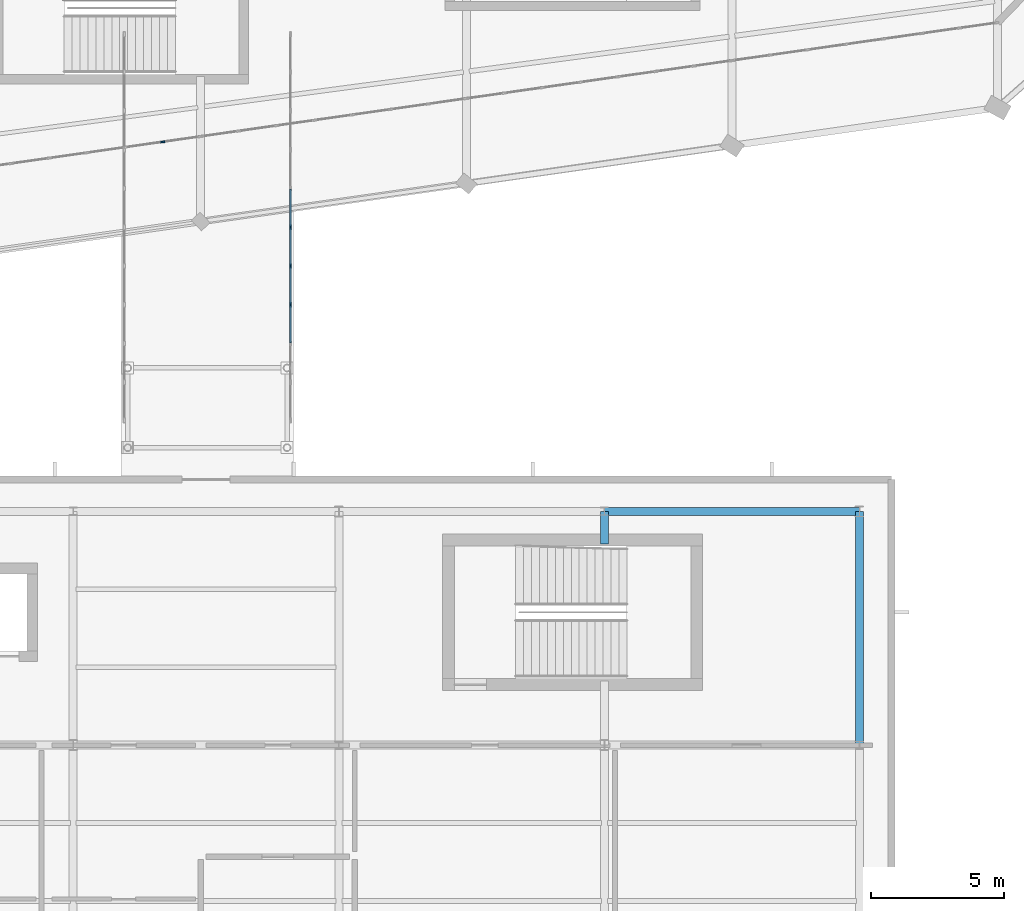
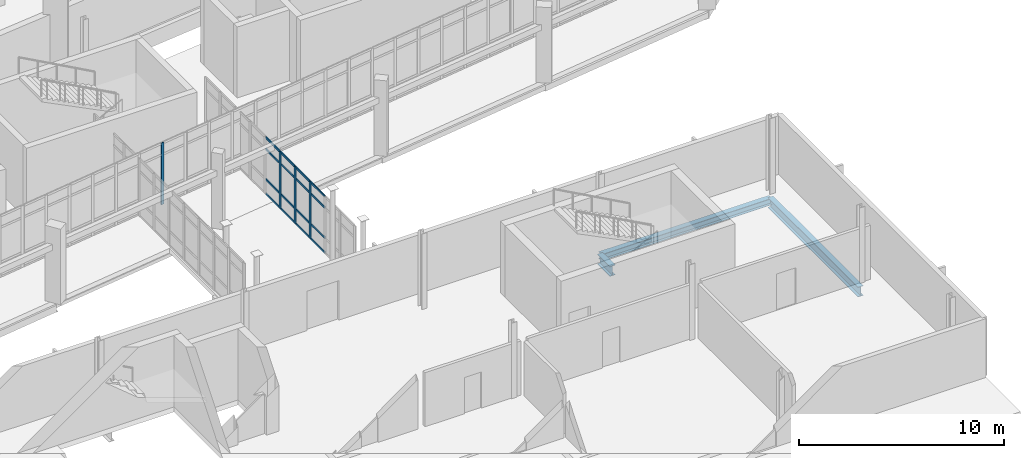
# One storey, part 63 of 122: 20 members, 3 beams, 2 elements without a shape of their own.
"""IFC4 building model written with IfcOpenShell, lengths in metres."""

from ifc_helpers import new_model, si_unit, direction, frame, origin, origin_2d, place, context, subcontext, project, spatial, rectangle, i_section, extrude, material, layer, layer_set, material_profile, profile_set, type_object, element, aggregate, save


model = new_model("IFC4")

# Units and contexts
model_context = context("Model", 3, precision=1e-05, world=origin(), true_north=direction((0.0, 1.0)))
body_context = subcontext(model_context, "Body", "Model", "MODEL_VIEW")
ifc_project = project(units=[si_unit("LENGTHUNIT", "METRE"), si_unit("AREAUNIT", "SQUARE_METRE"), si_unit("VOLUMEUNIT", "CUBIC_METRE"), si_unit("PLANEANGLEUNIT", "RADIAN"), si_unit("MASSUNIT", "GRAM", prefix="KILO")], contexts=[model_context])

# Site, building, storey
site_placement = place(None, origin())
site = spatial("IfcSite", under=ifc_project, at=site_placement, CompositionType="ELEMENT")
building_placement = place(site_placement, origin())
building = spatial("IfcBuilding", under=site, at=building_placement, Name="Sohan Crest Arena", CompositionType="ELEMENT")
storey_placement = place(building_placement, origin())
storey = spatial("IfcBuildingStorey", under=building, at=storey_placement, Name="L00", CompositionType="ELEMENT", Elevation=0.0)

# Curtain wall, member
ifc_material_1 = material(Name="Thermally broken anodised aluminium", Category="aluminium")
ifc_layer_1 = layer(ifc_material_1, 0.179931640625, Name="Thermally broken anodised aluminium")
ifc_layer_set_1 = layer_set([ifc_layer_1], Name="Thermally broken anodised aluminium")
curtain_wall_type_1 = type_object("IfcCurtainWallType", Name="ARC-CW01", PredefinedType="NOTDEFINED", material=ifc_layer_set_1)
curtain_wall_1_placement = place(storey_placement, origin())
curtain_wall_1 = element("IfcCurtainWall", 1, at=curtain_wall_1_placement, inside=storey, type_object=curtain_wall_type_1, Name="Unitised curtain wall CW-010", PredefinedType="NOTDEFINED")
ifc_material_profile_1 = material_profile(ifc_material_1, rectangle(XDim=0.06005859375, YDim=0.159912109375, at=origin_2d()), Name="ALU-MULL 60x160")
ifc_profile_set_1 = profile_set([ifc_material_profile_1], Name="Thermally broken anodised aluminium")
member_type_1 = type_object("IfcMemberType", Name="ARC-CW-ML01", PredefinedType="MULLION", material=ifc_profile_set_1)
member_1_placement = place(storey_placement, frame((136.571533203125, 38.7099609375, 0.0), z_axis=(0.0, 0.0, 1.0), x_axis=(-0.141365918403, 0.989957411768, 0.0)))
member_1 = element("IfcMember", 2, at=member_1_placement, type_object=member_type_1, Name="CW-010 mullion 7", PredefinedType="MULLION", context=body_context, shape_type="SweptSolid", body=[
    extrude(rectangle(XDim=0.06005859375, YDim=0.159912109375, at=origin_2d()), origin(), (0.0, 0.0, 1.0), 3.679931640625),
])
aggregate(curtain_wall_1, [member_1])

# Curtain wall, members
ifc_layer_2 = layer(ifc_material_1, 0.18994140625, Name="Thermally broken anodised aluminium")
ifc_layer_set_2 = layer_set([ifc_layer_2], Name="Thermally broken anodised aluminium")
curtain_wall_type_2 = type_object("IfcCurtainWallType", Name="ARC-CW05", PredefinedType="NOTDEFINED", material=ifc_layer_set_2)
curtain_wall_2_placement = place(storey_placement, origin())
curtain_wall_2 = element("IfcCurtainWall", 3, at=curtain_wall_2_placement, inside=storey, type_object=curtain_wall_type_2, Name="Unitised curtain wall CW-254", PredefinedType="NOTDEFINED")
ifc_material_profile_2 = material_profile(ifc_material_1, rectangle(XDim=0.06494140625, YDim=0.179931640625, at=origin_2d()), Name="ALU-MULL 65x180")
ifc_profile_set_2 = profile_set([ifc_material_profile_2], Name="Thermally broken anodised aluminium")
member_type_2 = type_object("IfcMemberType", Name="ARC-CW-ML02", PredefinedType="MULLION", material=ifc_profile_set_2)
member_2_placement = place(storey_placement, frame((141.3798828125, 32.580078125, 0.0), z_axis=(0.0, 0.0, 1.0), x_axis=(-1.0, 0.0, 0.0)))
member_2 = element("IfcMember", 4, at=member_2_placement, type_object=member_type_2, Name="CW-254 mullion 4", PredefinedType="MULLION", context=body_context, shape_type="SweptSolid", body=[
    extrude(rectangle(XDim=0.06494140625, YDim=0.179931640625, at=origin_2d()), origin(), (0.0, 0.0, 1.0), 3.39990234375),
])
member_3_placement = place(storey_placement, frame((141.3798828125, 34.0400390625, 0.0), z_axis=(0.0, 0.0, 1.0), x_axis=(-1.0, 0.0, 0.0)))
member_3 = element("IfcMember", 5, at=member_3_placement, type_object=member_type_2, Name="CW-254 mullion 5", PredefinedType="MULLION", context=body_context, shape_type="SweptSolid", body=[
    extrude(rectangle(XDim=0.06494140625, YDim=0.179931640625, at=origin_2d()), origin(), (0.0, 0.0, 1.0), 3.39990234375),
])
member_4_placement = place(storey_placement, frame((141.3798828125, 35.5, 0.0), z_axis=(0.0, 0.0, 1.0), x_axis=(-1.0, 0.0, 0.0)))
member_4 = element("IfcMember", 6, at=member_4_placement, type_object=member_type_2, Name="CW-254 mullion 6", PredefinedType="MULLION", context=body_context, shape_type="SweptSolid", body=[
    extrude(rectangle(XDim=0.06494140625, YDim=0.179931640625, at=origin_2d()), origin(), (0.0, 0.0, 1.0), 3.39990234375),
])
ifc_material_profile_3 = material_profile(ifc_material_1, rectangle(XDim=0.06005859375, YDim=0.1201171875, at=origin_2d()), Name="ALU-TRAN 60x120")
ifc_profile_set_3 = profile_set([ifc_material_profile_3], Name="Thermally broken anodised aluminium")
member_type_3 = type_object("IfcMemberType", Name="ARC-CW-TR01", PredefinedType="USERDEFINED", material=ifc_profile_set_3)
member_5_placement = place(storey_placement, frame((141.3798828125, 31.152587890625, 0.030029296875), z_axis=(0.0, 1.0, 0.0), x_axis=(-1.0, 0.0, 0.0)))
member_5 = element("IfcMember", 7, at=member_5_placement, type_object=member_type_3, Name="CW-254 transom 3.1", ObjectType="TRANSOM", PredefinedType="USERDEFINED", context=body_context, shape_type="SweptSolid", body=[
    extrude(rectangle(XDim=0.06005859375, YDim=0.1201171875, at=origin_2d()), origin(), (0.0, 0.0, 1.0), 1.39501953125),
])
member_6_placement = place(storey_placement, frame((141.3798828125, 31.152587890625, 0.89990234375), z_axis=(0.0, 1.0, 0.0), x_axis=(-1.0, 0.0, 0.0)))
member_6 = element("IfcMember", 8, at=member_6_placement, type_object=member_type_3, Name="CW-254 transom 3.2", ObjectType="TRANSOM", PredefinedType="USERDEFINED", context=body_context, shape_type="SweptSolid", body=[
    extrude(rectangle(XDim=0.06005859375, YDim=0.1201171875, at=origin_2d()), origin(), (0.0, 0.0, 1.0), 1.39501953125),
])
member_7_placement = place(storey_placement, frame((141.3798828125, 31.152587890625, 2.699951171875), z_axis=(0.0, 1.0, 0.0), x_axis=(-1.0, 0.0, 0.0)))
member_7 = element("IfcMember", 9, at=member_7_placement, type_object=member_type_3, Name="CW-254 transom 3.3", ObjectType="TRANSOM", PredefinedType="USERDEFINED", context=body_context, shape_type="SweptSolid", body=[
    extrude(rectangle(XDim=0.06005859375, YDim=0.1201171875, at=origin_2d()), origin(), (0.0, 0.0, 1.0), 1.39501953125),
])
member_8_placement = place(storey_placement, frame((141.3798828125, 31.152587890625, 3.3701171875), z_axis=(0.0, 1.0, 0.0), x_axis=(-1.0, 0.0, 0.0)))
member_8 = element("IfcMember", 10, at=member_8_placement, type_object=member_type_3, Name="CW-254 transom 3.4", ObjectType="TRANSOM", PredefinedType="USERDEFINED", context=body_context, shape_type="SweptSolid", body=[
    extrude(rectangle(XDim=0.06005859375, YDim=0.1201171875, at=origin_2d()), origin(), (0.0, 0.0, 1.0), 1.39501953125),
])
member_9_placement = place(storey_placement, frame((141.3798828125, 32.612548828125, 0.030029296875), z_axis=(0.0, 1.0, 0.0), x_axis=(-1.0, 0.0, 0.0)))
member_9 = element("IfcMember", 11, at=member_9_placement, type_object=member_type_3, Name="CW-254 transom 4.1", ObjectType="TRANSOM", PredefinedType="USERDEFINED", context=body_context, shape_type="SweptSolid", body=[
    extrude(rectangle(XDim=0.06005859375, YDim=0.1201171875, at=origin_2d()), origin(), (0.0, 0.0, 1.0), 1.39501953125),
])
member_10_placement = place(storey_placement, frame((141.3798828125, 32.612548828125, 0.89990234375), z_axis=(0.0, 1.0, 0.0), x_axis=(-1.0, 0.0, 0.0)))
member_10 = element("IfcMember", 12, at=member_10_placement, type_object=member_type_3, Name="CW-254 transom 4.2", ObjectType="TRANSOM", PredefinedType="USERDEFINED", context=body_context, shape_type="SweptSolid", body=[
    extrude(rectangle(XDim=0.06005859375, YDim=0.1201171875, at=origin_2d()), origin(), (0.0, 0.0, 1.0), 1.39501953125),
])
member_11_placement = place(storey_placement, frame((141.3798828125, 32.612548828125, 2.699951171875), z_axis=(0.0, 1.0, 0.0), x_axis=(-1.0, 0.0, 0.0)))
member_11 = element("IfcMember", 13, at=member_11_placement, type_object=member_type_3, Name="CW-254 transom 4.3", ObjectType="TRANSOM", PredefinedType="USERDEFINED", context=body_context, shape_type="SweptSolid", body=[
    extrude(rectangle(XDim=0.06005859375, YDim=0.1201171875, at=origin_2d()), origin(), (0.0, 0.0, 1.0), 1.39501953125),
])
member_12_placement = place(storey_placement, frame((141.3798828125, 32.612548828125, 3.3701171875), z_axis=(0.0, 1.0, 0.0), x_axis=(-1.0, 0.0, 0.0)))
member_12 = element("IfcMember", 14, at=member_12_placement, type_object=member_type_3, Name="CW-254 transom 4.4", ObjectType="TRANSOM", PredefinedType="USERDEFINED", context=body_context, shape_type="SweptSolid", body=[
    extrude(rectangle(XDim=0.06005859375, YDim=0.1201171875, at=origin_2d()), origin(), (0.0, 0.0, 1.0), 1.39501953125),
])
member_13_placement = place(storey_placement, frame((141.3798828125, 34.072509765625, 0.030029296875), z_axis=(0.0, 1.0, 0.0), x_axis=(-1.0, 0.0, 0.0)))
member_13 = element("IfcMember", 15, at=member_13_placement, type_object=member_type_3, Name="CW-254 transom 5.1", ObjectType="TRANSOM", PredefinedType="USERDEFINED", context=body_context, shape_type="SweptSolid", body=[
    extrude(rectangle(XDim=0.06005859375, YDim=0.1201171875, at=origin_2d()), origin(), (0.0, 0.0, 1.0), 1.39501953125),
])
member_14_placement = place(storey_placement, frame((141.3798828125, 34.072509765625, 0.89990234375), z_axis=(0.0, 1.0, 0.0), x_axis=(-1.0, 0.0, 0.0)))
member_14 = element("IfcMember", 16, at=member_14_placement, type_object=member_type_3, Name="CW-254 transom 5.2", ObjectType="TRANSOM", PredefinedType="USERDEFINED", context=body_context, shape_type="SweptSolid", body=[
    extrude(rectangle(XDim=0.06005859375, YDim=0.1201171875, at=origin_2d()), origin(), (0.0, 0.0, 1.0), 1.39501953125),
])
member_15_placement = place(storey_placement, frame((141.3798828125, 34.072509765625, 2.699951171875), z_axis=(0.0, 1.0, 0.0), x_axis=(-1.0, 0.0, 0.0)))
member_15 = element("IfcMember", 17, at=member_15_placement, type_object=member_type_3, Name="CW-254 transom 5.3", ObjectType="TRANSOM", PredefinedType="USERDEFINED", context=body_context, shape_type="SweptSolid", body=[
    extrude(rectangle(XDim=0.06005859375, YDim=0.1201171875, at=origin_2d()), origin(), (0.0, 0.0, 1.0), 1.39501953125),
])
member_16_placement = place(storey_placement, frame((141.3798828125, 34.072509765625, 3.3701171875), z_axis=(0.0, 1.0, 0.0), x_axis=(-1.0, 0.0, 0.0)))
member_16 = element("IfcMember", 18, at=member_16_placement, type_object=member_type_3, Name="CW-254 transom 5.4", ObjectType="TRANSOM", PredefinedType="USERDEFINED", context=body_context, shape_type="SweptSolid", body=[
    extrude(rectangle(XDim=0.06005859375, YDim=0.1201171875, at=origin_2d()), origin(), (0.0, 0.0, 1.0), 1.39501953125),
])
member_17_placement = place(storey_placement, frame((141.3798828125, 35.532470703125, 0.030029296875), z_axis=(0.0, 1.0, 0.0), x_axis=(-1.0, 0.0, 0.0)))
member_17 = element("IfcMember", 19, at=member_17_placement, type_object=member_type_3, Name="CW-254 transom 6.1", ObjectType="TRANSOM", PredefinedType="USERDEFINED", context=body_context, shape_type="SweptSolid", body=[
    extrude(rectangle(XDim=0.06005859375, YDim=0.1201171875, at=origin_2d()), origin(), (0.0, 0.0, 1.0), 1.39501953125),
])
member_18_placement = place(storey_placement, frame((141.3798828125, 35.532470703125, 0.89990234375), z_axis=(0.0, 1.0, 0.0), x_axis=(-1.0, 0.0, 0.0)))
member_18 = element("IfcMember", 20, at=member_18_placement, type_object=member_type_3, Name="CW-254 transom 6.2", ObjectType="TRANSOM", PredefinedType="USERDEFINED", context=body_context, shape_type="SweptSolid", body=[
    extrude(rectangle(XDim=0.06005859375, YDim=0.1201171875, at=origin_2d()), origin(), (0.0, 0.0, 1.0), 1.39501953125),
])
member_19_placement = place(storey_placement, frame((141.3798828125, 35.532470703125, 2.699951171875), z_axis=(0.0, 1.0, 0.0), x_axis=(-1.0, 0.0, 0.0)))
member_19 = element("IfcMember", 21, at=member_19_placement, type_object=member_type_3, Name="CW-254 transom 6.3", ObjectType="TRANSOM", PredefinedType="USERDEFINED", context=body_context, shape_type="SweptSolid", body=[
    extrude(rectangle(XDim=0.06005859375, YDim=0.1201171875, at=origin_2d()), origin(), (0.0, 0.0, 1.0), 1.39501953125),
])
member_20_placement = place(storey_placement, frame((141.3798828125, 35.532470703125, 3.3701171875), z_axis=(0.0, 1.0, 0.0), x_axis=(-1.0, 0.0, 0.0)))
member_20 = element("IfcMember", 22, at=member_20_placement, type_object=member_type_3, Name="CW-254 transom 6.4", ObjectType="TRANSOM", PredefinedType="USERDEFINED", context=body_context, shape_type="SweptSolid", body=[
    extrude(rectangle(XDim=0.06005859375, YDim=0.1201171875, at=origin_2d()), origin(), (0.0, 0.0, 1.0), 1.39501953125),
])
aggregate(curtain_wall_2, [member_2, member_3, member_4, member_5, member_6, member_7, member_8, member_9, member_10, member_11, member_12, member_13, member_14, member_15, member_16, member_17, member_18, member_19, member_20])

# Beams
ifc_material_2 = material(Name="Steel S355", Category="steel")
ifc_material_profile_4 = material_profile(ifc_material_2, i_section(OverallWidth=0.300048828125, OverallDepth=0.389892578125, WebThickness=0.010986328125, FlangeThickness=0.01904296875, at=origin_2d()), Name="HEA 400")
ifc_profile_set_4 = profile_set([ifc_material_profile_4], Name="Steel S355")
beam_type_1 = type_object("IfcBeamType", Name="STR-BM-B09", PredefinedType="BEAM", material=ifc_profile_set_4)
beam_1_placement = place(storey_placement, frame((153.199951171875, 24.800048828125, -0.4951171875), z_axis=(1.0, 0.0, 0.0), x_axis=(0.0, 1.0, 0.0)))
element("IfcBeam", 23, at=beam_1_placement, inside=storey, type_object=beam_type_1, Name="Structural beam G-L00-2572", PredefinedType="BEAM", context=body_context, shape_type="SweptSolid", body=[
    extrude(i_section(OverallWidth=0.300048828125, OverallDepth=0.389892578125, WebThickness=0.010986328125, FlangeThickness=0.01904296875, at=origin_2d()), origin(), (0.0, 0.0, 1.0), 9.60009765625),
])
ifc_material_profile_5 = material_profile(ifc_material_2, i_section(OverallWidth=0.300048828125, OverallDepth=0.60009765625, WebThickness=0.015380859375, FlangeThickness=0.030029296875, at=origin_2d()), Name="HEB 600")
ifc_profile_set_5 = profile_set([ifc_material_profile_5], Name="Steel S355")
beam_type_2 = type_object("IfcBeamType", Name="STR-BM-B15", PredefinedType="BEAM", material=ifc_profile_set_5)
beam_2_placement = place(storey_placement, frame((153.199951171875, 23.580078125, -0.60009765625), z_axis=(0.0, 1.0, 0.0), x_axis=(-1.0, 0.0, 0.0)))
element("IfcBeam", 24, at=beam_2_placement, inside=storey, type_object=beam_type_2, Name="Structural beam G-L00-2523", PredefinedType="BEAM", context=body_context, shape_type="SweptSolid", body=[
    extrude(i_section(OverallWidth=0.300048828125, OverallDepth=0.60009765625, WebThickness=0.015380859375, FlangeThickness=0.030029296875, at=origin_2d()), origin(), (0.0, 0.0, 1.0), 1.219970703125),
])
beam_3_placement = place(storey_placement, frame((162.800048828125, 16.0, -0.60009765625), z_axis=(0.0, 1.0, 0.0), x_axis=(-1.0, 0.0, 0.0)))
element("IfcBeam", 25, at=beam_3_placement, inside=storey, type_object=beam_type_2, Name="Structural beam G-L00-2525", PredefinedType="BEAM", context=body_context, shape_type="SweptSolid", body=[
    extrude(i_section(OverallWidth=0.300048828125, OverallDepth=0.60009765625, WebThickness=0.015380859375, FlangeThickness=0.030029296875, at=origin_2d()), origin(), (0.0, 0.0, 1.0), 8.800048828125),
])

save(model, "model.ifc")
